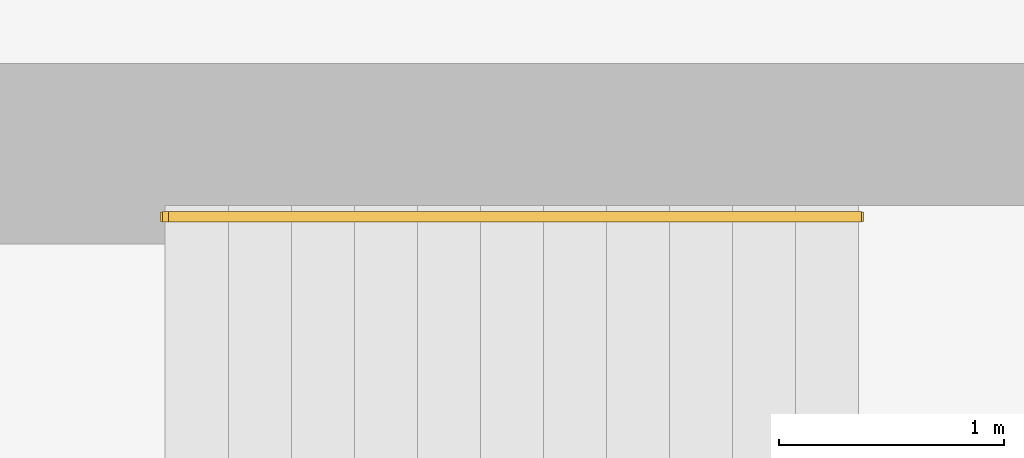
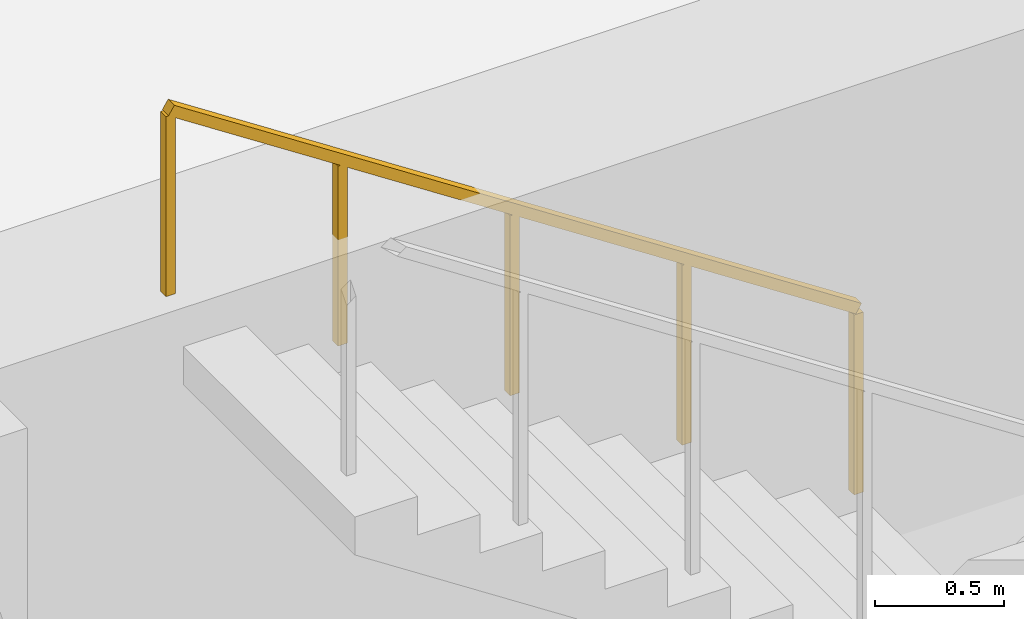
# One storey, part 9 of 9: 1 railing.
"""IFC4 building model written with IfcOpenShell, lengths in metres."""

from ifc_helpers import new_model, si_unit, direction, frame, origin, origin_2d, place, context, subcontext, project, spatial, rectangle, extrude, material, type_object, element, save


model = new_model("IFC4")

# Units and contexts
model_context = context("Model", 3, precision=1e-05, world=origin(), true_north=direction((0.0, 1.0)))
body_context = subcontext(model_context, "Body", "Model", "MODEL_VIEW")
ifc_project = project(units=[si_unit("LENGTHUNIT", "METRE"), si_unit("AREAUNIT", "SQUARE_METRE"), si_unit("VOLUMEUNIT", "CUBIC_METRE"), si_unit("PLANEANGLEUNIT", "RADIAN"), si_unit("MASSUNIT", "GRAM", prefix="KILO")], contexts=[model_context])

# Site, building, storey
site_placement = place(None, origin())
site = spatial("IfcSite", under=ifc_project, at=site_placement, CompositionType="ELEMENT")
building_placement = place(site_placement, origin())
building = spatial("IfcBuilding", under=site, at=building_placement, Name="Zarnavel Station Tower", CompositionType="ELEMENT")
storey_placement = place(building_placement, frame((0.0, 0.0, -8.800048828125)))
storey = spatial("IfcBuildingStorey", under=building, at=storey_placement, Name="B02", CompositionType="ELEMENT", Elevation=-8.800048828125)

# Railing
ifc_material = material(Name="Brushed Stainless Steel S355J2 Handrail", Category="steel")
railing_type = type_object("IfcRailingType", Name="HR_STAIR_900", PredefinedType="HANDRAIL", material=ifc_material)
railing_placement = place(storey_placement, frame((41.159912109375, 36.77001953125, 2.38330078125)))
element("IfcRailing", 1, at=railing_placement, inside=storey, type_object=railing_type, Name="B02 ST2 stair handrail 2", PredefinedType="HANDRAIL", context=body_context, shape_type="SweptSolid", body=[
    extrude(rectangle(XDim=0.048095703125, YDim=0.048095703125, at=origin_2d()), frame((-0.001708984375, 0.0, 0.876953125), z_axis=(-0.836582707638, 0.0, 0.547840645882), x_axis=(0.0, -1.0, 0.0)), (0.0, 0.0, 1.0), 3.677490234375),
    extrude(rectangle(XDim=0.0419921875, YDim=0.0419921875, at=origin_2d()), origin(), (0.0, 0.0, 1.0), 0.851806640625),
    extrude(rectangle(XDim=0.0419921875, YDim=0.0419921875, at=origin_2d()), frame((-0.77001953125, 0.0, 0.504150390625)), (0.0, 0.0, 1.0), 0.851806640625),
    extrude(rectangle(XDim=0.0419921875, YDim=0.0419921875, at=origin_2d()), frame((-1.5400390625, 0.0, 1.00830078125)), (0.0, 0.0, 1.0), 0.851806640625),
    extrude(rectangle(XDim=0.0419921875, YDim=0.0419921875, at=origin_2d()), frame((-2.309814453125, 0.0, 1.5126953125)), (0.0, 0.0, 1.0), 0.851806640625),
    extrude(rectangle(XDim=0.0419921875, YDim=0.0419921875, at=origin_2d()), frame((-3.079833984375, 0.0, 2.016845703125)), (0.0, 0.0, 1.0), 0.851806640625),
])

save(model, "model.ifc")
